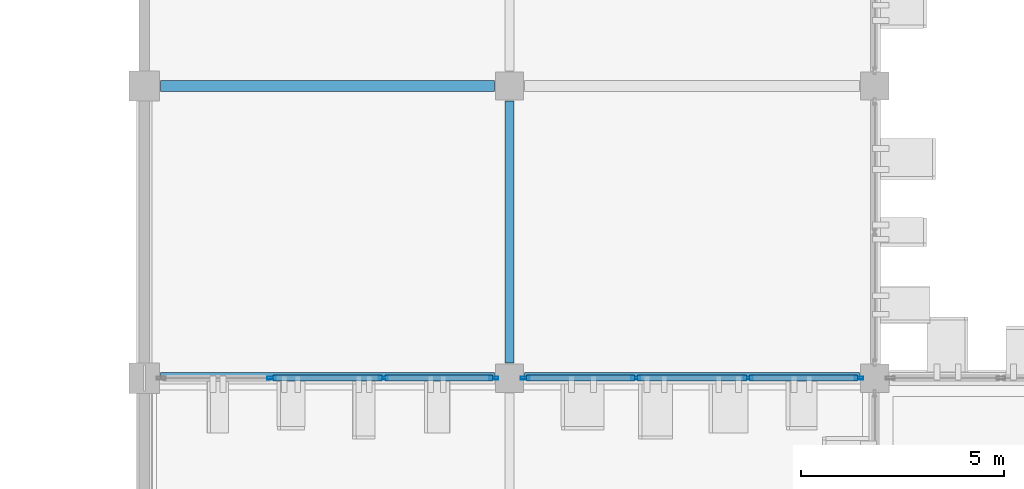
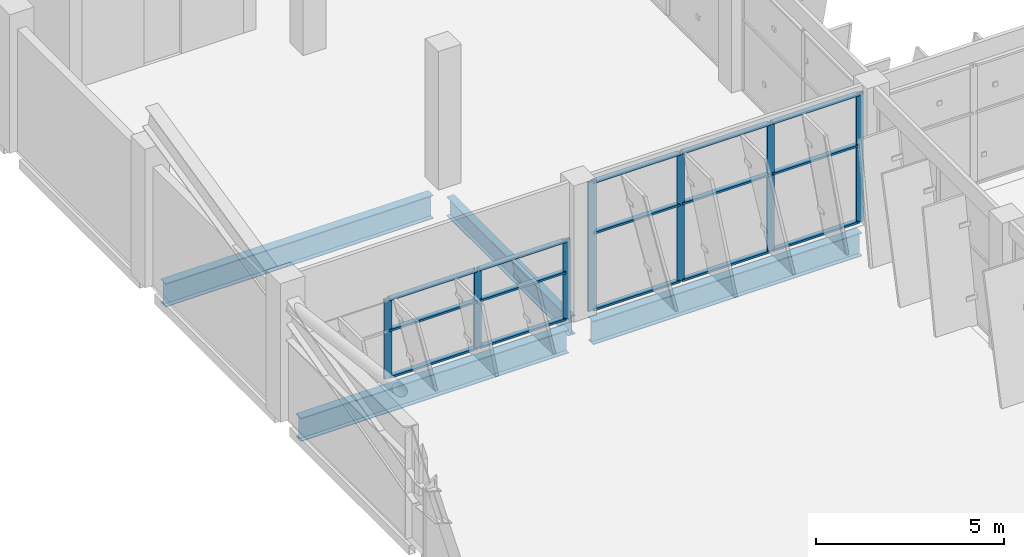
# One storey, part 43 of 151: 22 members, 4 beams, 2 elements without a shape of their own.
"""IFC4 building model written with IfcOpenShell, lengths in metres."""

from ifc_helpers import new_model, si_unit, direction, frame, origin, origin_2d, place, context, subcontext, project, spatial, hollow_rectangle, i_section, extrude, material, layer, layer_set, material_profile, profile_set, type_object, element, aggregate, save


model = new_model("IFC4")

# Units and contexts
model_context = context("Model", 3, precision=1e-05, world=origin(), true_north=direction((0.0, 1.0)))
body_context = subcontext(model_context, "Body", "Model", "MODEL_VIEW")
ifc_project = project(units=[si_unit("LENGTHUNIT", "METRE"), si_unit("AREAUNIT", "SQUARE_METRE"), si_unit("VOLUMEUNIT", "CUBIC_METRE"), si_unit("PLANEANGLEUNIT", "RADIAN"), si_unit("MASSUNIT", "GRAM", prefix="KILO")], contexts=[model_context])

# Site, building, storey
site_placement = place(None, origin())
site = spatial("IfcSite", under=ifc_project, at=site_placement, CompositionType="ELEMENT")
building_placement = place(site_placement, origin())
building = spatial("IfcBuilding", under=site, at=building_placement, Name="Celestram Park Convention Centre", CompositionType="ELEMENT")
storey_placement = place(building_placement, frame((0.0, 0.0, 10.800048828125)))
storey = spatial("IfcBuildingStorey", under=building, at=storey_placement, Name="L02", CompositionType="ELEMENT", Elevation=10.800048828125)

# Curtain wall, members
ifc_material_1 = material(Name="Anodised Aluminium Alloy 6063-T6", Category="aluminium")
ifc_layer_1 = layer(ifc_material_1, 0.179931640625)
ifc_layer_set_1 = layer_set([ifc_layer_1], Name="Anodised Aluminium Alloy 6063-T6")
curtain_wall_type_1 = type_object("IfcCurtainWallType", Name="ARC-CW-830X420", PredefinedType="NOTDEFINED", material=ifc_layer_set_1)
curtain_wall_1_placement = place(storey_placement, origin())
curtain_wall_1 = element("IfcCurtainWall", 1, at=curtain_wall_1_placement, inside=storey, type_object=curtain_wall_type_1, Name="Unitised curtain wall CU-L02-193", PredefinedType="NOTDEFINED")
ifc_material_profile_1 = material_profile(ifc_material_1, hollow_rectangle(XDim=0.074951171875, YDim=0.219970703125, WallThickness=0.00390625, at=origin_2d()), Name="ALU75X220X4")
ifc_profile_set_1 = profile_set([ifc_material_profile_1], Name="Anodised Aluminium Alloy 6063-T6")
member_type_1 = type_object("IfcMemberType", Name="ARC-CWM-180", PredefinedType="MULLION", material=ifc_profile_set_1)
member_1_placement = place(storey_placement, frame((143.614501953125, 36.0, 0.0), z_axis=(0.0, 0.0, 1.0), x_axis=(0.0, -1.0, 0.0)))
member_1 = element("IfcMember", 2, at=member_1_placement, type_object=member_type_1, Name="CW-83X42 mullion 1", PredefinedType="MULLION", context=body_context, shape_type="SweptSolid", body=[
    extrude(hollow_rectangle(XDim=0.074951171875, YDim=0.219970703125, WallThickness=0.00390625, at=origin_2d()), origin(), (0.0, 0.0, 1.0), 4.199951171875),
])
member_2_placement = place(storey_placement, frame((140.884033203125, 36.0, 0.0), z_axis=(0.0, 0.0, 1.0), x_axis=(0.0, -1.0, 0.0)))
member_2 = element("IfcMember", 3, at=member_2_placement, type_object=member_type_1, Name="CW-83X42 mullion 2", PredefinedType="MULLION", context=body_context, shape_type="SweptSolid", body=[
    extrude(hollow_rectangle(XDim=0.074951171875, YDim=0.219970703125, WallThickness=0.00390625, at=origin_2d()), origin(), (0.0, 0.0, 1.0), 4.199951171875),
])
member_3_placement = place(storey_placement, frame((138.115966796875, 36.0, 0.0), z_axis=(0.0, 0.0, 1.0), x_axis=(0.0, -1.0, 0.0)))
member_3 = element("IfcMember", 4, at=member_3_placement, type_object=member_type_1, Name="CW-83X42 mullion 3", PredefinedType="MULLION", context=body_context, shape_type="SweptSolid", body=[
    extrude(hollow_rectangle(XDim=0.074951171875, YDim=0.219970703125, WallThickness=0.00390625, at=origin_2d()), origin(), (0.0, 0.0, 1.0), 4.199951171875),
])
member_4_placement = place(storey_placement, frame((135.385498046875, 36.0, 0.0), z_axis=(0.0, 0.0, 1.0), x_axis=(0.0, -1.0, 0.0)))
member_4 = element("IfcMember", 5, at=member_4_placement, type_object=member_type_1, Name="CW-83X42 mullion 4", PredefinedType="MULLION", context=body_context, shape_type="SweptSolid", body=[
    extrude(hollow_rectangle(XDim=0.074951171875, YDim=0.219970703125, WallThickness=0.00390625, at=origin_2d()), origin(), (0.0, 0.0, 1.0), 4.199951171875),
])

ifc_layer_2 = layer(ifc_material_1, 0.179931640625)
ifc_layer_set_2 = layer_set([ifc_layer_2], Name="Anodised Aluminium Alloy 6063-T6")
curtain_wall_type_2 = type_object("IfcCurtainWallType", Name="ARC-CW-828X259", PredefinedType="NOTDEFINED", material=ifc_layer_set_2)
curtain_wall_2_placement = place(storey_placement, origin())
curtain_wall_2 = element("IfcCurtainWall", 6, at=curtain_wall_2_placement, inside=storey, type_object=curtain_wall_type_2, Name="Unitised curtain wall CU-L02-194", PredefinedType="NOTDEFINED")
member_5_placement = place(storey_placement, frame((134.614501953125, 36.0, 0.0), z_axis=(0.0, 0.0, 1.0), x_axis=(0.0, -1.0, 0.0)))
member_5 = element("IfcMember", 7, at=member_5_placement, type_object=member_type_1, Name="CW-82X25 mullion 1", PredefinedType="MULLION", context=body_context, shape_type="SweptSolid", body=[
    extrude(hollow_rectangle(XDim=0.074951171875, YDim=0.219970703125, WallThickness=0.00390625, at=origin_2d()), origin(), (0.0, 0.0, 1.0), 2.5888671875),
])
member_6_placement = place(storey_placement, frame((131.892333984375, 36.0, 0.0), z_axis=(0.0, 0.0, 1.0), x_axis=(0.0, -1.0, 0.0)))
member_6 = element("IfcMember", 8, at=member_6_placement, type_object=member_type_1, Name="CW-82X25 mullion 2", PredefinedType="MULLION", context=body_context, shape_type="SweptSolid", body=[
    extrude(hollow_rectangle(XDim=0.074951171875, YDim=0.219970703125, WallThickness=0.00390625, at=origin_2d()), origin(), (0.0, 0.0, 1.0), 2.5888671875),
])
member_7_placement = place(storey_placement, frame((129.132568359375, 36.0, 0.0), z_axis=(0.0, 0.0, 1.0), x_axis=(0.0, -1.0, 0.0)))
member_7 = element("IfcMember", 9, at=member_7_placement, type_object=member_type_1, Name="CW-82X25 mullion 3", PredefinedType="MULLION", context=body_context, shape_type="SweptSolid", body=[
    extrude(hollow_rectangle(XDim=0.074951171875, YDim=0.219970703125, WallThickness=0.00390625, at=origin_2d()), origin(), (0.0, 0.0, 1.0), 2.5888671875),
])

# Member
ifc_material_profile_2 = material_profile(ifc_material_1, hollow_rectangle(XDim=0.14990234375, YDim=0.06494140625, WallThickness=0.0029296875, at=origin_2d()), Name="ALU150X65X3")
ifc_profile_set_2 = profile_set([ifc_material_profile_2], Name="Anodised Aluminium Alloy 6063-T6")
member_type_2 = type_object("IfcMemberType", Name="ARC-CWT-150", PredefinedType="USERDEFINED", material=ifc_profile_set_2)
member_8_placement = place(storey_placement, frame((143.576904296875, 36.0, 0.032470703125), z_axis=(-1.0, 0.0, 0.0), x_axis=(0.0, -1.0, 0.0)))
member_8 = element("IfcMember", 10, at=member_8_placement, type_object=member_type_2, Name="CW-83X42 transom 1.1", ObjectType="TRANSOM", PredefinedType="USERDEFINED", context=body_context, shape_type="SweptSolid", body=[
    extrude(hollow_rectangle(XDim=0.14990234375, YDim=0.06494140625, WallThickness=0.0029296875, at=origin_2d()), origin(), (0.0, 0.0, 1.0), 2.655517578125),
])

member_9_placement = place(storey_placement, frame((143.576904296875, 36.0, 2.52001953125), z_axis=(-1.0, 0.0, 0.0), x_axis=(0.0, -1.0, 0.0)))
member_9 = element("IfcMember", 11, at=member_9_placement, type_object=member_type_2, Name="CW-83X42 transom 1.2", ObjectType="TRANSOM", PredefinedType="USERDEFINED", context=body_context, shape_type="SweptSolid", body=[
    extrude(hollow_rectangle(XDim=0.14990234375, YDim=0.06494140625, WallThickness=0.0029296875, at=origin_2d()), origin(), (0.0, 0.0, 1.0), 2.655517578125),
])

member_10_placement = place(storey_placement, frame((143.576904296875, 36.0, 4.16748046875), z_axis=(-1.0, 0.0, 0.0), x_axis=(0.0, -1.0, 0.0)))
member_10 = element("IfcMember", 12, at=member_10_placement, type_object=member_type_2, Name="CW-83X42 transom 1.3", ObjectType="TRANSOM", PredefinedType="USERDEFINED", context=body_context, shape_type="SweptSolid", body=[
    extrude(hollow_rectangle(XDim=0.14990234375, YDim=0.06494140625, WallThickness=0.0029296875, at=origin_2d()), origin(), (0.0, 0.0, 1.0), 2.655517578125),
])

member_11_placement = place(storey_placement, frame((140.846435546875, 36.0, 0.032470703125), z_axis=(-1.0, 0.0, 0.0), x_axis=(0.0, -1.0, 0.0)))
member_11 = element("IfcMember", 13, at=member_11_placement, type_object=member_type_2, Name="CW-83X42 transom 2.1", ObjectType="TRANSOM", PredefinedType="USERDEFINED", context=body_context, shape_type="SweptSolid", body=[
    extrude(hollow_rectangle(XDim=0.14990234375, YDim=0.06494140625, WallThickness=0.0029296875, at=origin_2d()), origin(), (0.0, 0.0, 1.0), 2.69287109375),
])

member_12_placement = place(storey_placement, frame((140.846435546875, 36.0, 2.52001953125), z_axis=(-1.0, 0.0, 0.0), x_axis=(0.0, -1.0, 0.0)))
member_12 = element("IfcMember", 14, at=member_12_placement, type_object=member_type_2, Name="CW-83X42 transom 2.2", ObjectType="TRANSOM", PredefinedType="USERDEFINED", context=body_context, shape_type="SweptSolid", body=[
    extrude(hollow_rectangle(XDim=0.14990234375, YDim=0.06494140625, WallThickness=0.0029296875, at=origin_2d()), origin(), (0.0, 0.0, 1.0), 2.69287109375),
])

member_13_placement = place(storey_placement, frame((140.846435546875, 36.0, 4.16748046875), z_axis=(-1.0, 0.0, 0.0), x_axis=(0.0, -1.0, 0.0)))
member_13 = element("IfcMember", 15, at=member_13_placement, type_object=member_type_2, Name="CW-83X42 transom 2.3", ObjectType="TRANSOM", PredefinedType="USERDEFINED", context=body_context, shape_type="SweptSolid", body=[
    extrude(hollow_rectangle(XDim=0.14990234375, YDim=0.06494140625, WallThickness=0.0029296875, at=origin_2d()), origin(), (0.0, 0.0, 1.0), 2.69287109375),
])

member_14_placement = place(storey_placement, frame((138.07861328125, 36.0, 0.032470703125), z_axis=(-1.0, 0.0, 0.0), x_axis=(0.0, -1.0, 0.0)))
member_14 = element("IfcMember", 16, at=member_14_placement, type_object=member_type_2, Name="CW-83X42 transom 3.1", ObjectType="TRANSOM", PredefinedType="USERDEFINED", context=body_context, shape_type="SweptSolid", body=[
    extrude(hollow_rectangle(XDim=0.14990234375, YDim=0.06494140625, WallThickness=0.0029296875, at=origin_2d()), origin(), (0.0, 0.0, 1.0), 2.655517578125),
])

member_15_placement = place(storey_placement, frame((138.07861328125, 36.0, 2.52001953125), z_axis=(-1.0, 0.0, 0.0), x_axis=(0.0, -1.0, 0.0)))
member_15 = element("IfcMember", 17, at=member_15_placement, type_object=member_type_2, Name="CW-83X42 transom 3.2", ObjectType="TRANSOM", PredefinedType="USERDEFINED", context=body_context, shape_type="SweptSolid", body=[
    extrude(hollow_rectangle(XDim=0.14990234375, YDim=0.06494140625, WallThickness=0.0029296875, at=origin_2d()), origin(), (0.0, 0.0, 1.0), 2.655517578125),
])

member_16_placement = place(storey_placement, frame((138.07861328125, 36.0, 4.16748046875), z_axis=(-1.0, 0.0, 0.0), x_axis=(0.0, -1.0, 0.0)))
member_16 = element("IfcMember", 18, at=member_16_placement, type_object=member_type_2, Name="CW-83X42 transom 3.3", ObjectType="TRANSOM", PredefinedType="USERDEFINED", context=body_context, shape_type="SweptSolid", body=[
    extrude(hollow_rectangle(XDim=0.14990234375, YDim=0.06494140625, WallThickness=0.0029296875, at=origin_2d()), origin(), (0.0, 0.0, 1.0), 2.655517578125),
])

aggregate(curtain_wall_1, [member_1, member_2, member_3, member_4, member_8, member_9, member_10, member_11, member_12, member_13, member_14, member_15, member_16])

member_17_placement = place(storey_placement, frame((134.576904296875, 36.0, 0.032470703125), z_axis=(-1.0, 0.0, 0.0), x_axis=(0.0, -1.0, 0.0)))
member_17 = element("IfcMember", 19, at=member_17_placement, type_object=member_type_2, Name="CW-82X25 transom 1.1", ObjectType="TRANSOM", PredefinedType="USERDEFINED", context=body_context, shape_type="SweptSolid", body=[
    extrude(hollow_rectangle(XDim=0.14990234375, YDim=0.06494140625, WallThickness=0.0029296875, at=origin_2d()), origin(), (0.0, 0.0, 1.0), 2.64697265625),
])

member_18_placement = place(storey_placement, frame((134.576904296875, 36.0, 1.552978515625), z_axis=(-1.0, 0.0, 0.0), x_axis=(0.0, -1.0, 0.0)))
member_18 = element("IfcMember", 20, at=member_18_placement, type_object=member_type_2, Name="CW-82X25 transom 1.2", ObjectType="TRANSOM", PredefinedType="USERDEFINED", context=body_context, shape_type="SweptSolid", body=[
    extrude(hollow_rectangle(XDim=0.14990234375, YDim=0.06494140625, WallThickness=0.0029296875, at=origin_2d()), origin(), (0.0, 0.0, 1.0), 2.64697265625),
])

member_19_placement = place(storey_placement, frame((134.576904296875, 36.0, 2.556396484375), z_axis=(-1.0, 0.0, 0.0), x_axis=(0.0, -1.0, 0.0)))
member_19 = element("IfcMember", 21, at=member_19_placement, type_object=member_type_2, Name="CW-82X25 transom 1.3", ObjectType="TRANSOM", PredefinedType="USERDEFINED", context=body_context, shape_type="SweptSolid", body=[
    extrude(hollow_rectangle(XDim=0.14990234375, YDim=0.06494140625, WallThickness=0.0029296875, at=origin_2d()), origin(), (0.0, 0.0, 1.0), 2.64697265625),
])

member_20_placement = place(storey_placement, frame((131.854736328125, 36.0, 0.032470703125), z_axis=(-1.0, 0.0, 0.0), x_axis=(0.0, -1.0, 0.0)))
member_20 = element("IfcMember", 22, at=member_20_placement, type_object=member_type_2, Name="CW-82X25 transom 2.1", ObjectType="TRANSOM", PredefinedType="USERDEFINED", context=body_context, shape_type="SweptSolid", body=[
    extrude(hollow_rectangle(XDim=0.14990234375, YDim=0.06494140625, WallThickness=0.0029296875, at=origin_2d()), origin(), (0.0, 0.0, 1.0), 2.6845703125),
])

member_21_placement = place(storey_placement, frame((131.854736328125, 36.0, 1.552978515625), z_axis=(-1.0, 0.0, 0.0), x_axis=(0.0, -1.0, 0.0)))
member_21 = element("IfcMember", 23, at=member_21_placement, type_object=member_type_2, Name="CW-82X25 transom 2.2", ObjectType="TRANSOM", PredefinedType="USERDEFINED", context=body_context, shape_type="SweptSolid", body=[
    extrude(hollow_rectangle(XDim=0.14990234375, YDim=0.06494140625, WallThickness=0.0029296875, at=origin_2d()), origin(), (0.0, 0.0, 1.0), 2.6845703125),
])

member_22_placement = place(storey_placement, frame((131.854736328125, 36.0, 2.556396484375), z_axis=(-1.0, 0.0, 0.0), x_axis=(0.0, -1.0, 0.0)))
member_22 = element("IfcMember", 24, at=member_22_placement, type_object=member_type_2, Name="CW-82X25 transom 2.3", ObjectType="TRANSOM", PredefinedType="USERDEFINED", context=body_context, shape_type="SweptSolid", body=[
    extrude(hollow_rectangle(XDim=0.14990234375, YDim=0.06494140625, WallThickness=0.0029296875, at=origin_2d()), origin(), (0.0, 0.0, 1.0), 2.6845703125),
])

aggregate(curtain_wall_2, [member_5, member_6, member_7, member_17, member_18, member_19, member_20, member_21, member_22])

# Beams
ifc_material_2 = material(Name="Steel ASTM A992 Grade 50", Category="steel")
ifc_material_profile_3 = material_profile(ifc_material_2, i_section(OverallWidth=0.22900390625, OverallDepth=0.612060546875, WebThickness=0.011962890625, FlangeThickness=0.01953125, at=origin_2d()), Name="W24X84")
ifc_profile_set_3 = profile_set([ifc_material_profile_3], Name="Steel ASTM A992 Grade 50")
beam_type_1 = type_object("IfcBeamType", Name="STR-BM-W24X84", PredefinedType="BEAM", material=ifc_profile_set_3)
beam_1_placement = place(storey_placement, frame((135.0, 36.373046875, -0.5859375), z_axis=(0.0, 1.0, 0.0), x_axis=(-1.0, 0.0, 0.0)))
element("IfcBeam", 25, at=beam_1_placement, inside=storey, type_object=beam_type_1, Name="Primary Y-girder BG-L02-0199", PredefinedType="BEAM", context=body_context, shape_type="SweptSolid", body=[
    extrude(i_section(OverallWidth=0.22900390625, OverallDepth=0.612060546875, WebThickness=0.011962890625, FlangeThickness=0.01953125, at=origin_2d()), origin(), (0.0, 0.0, 1.0), 6.453857421875),
])
ifc_material_profile_4 = material_profile(ifc_material_2, i_section(OverallWidth=0.26708984375, OverallDepth=0.761962890625, WebThickness=0.014404296875, FlangeThickness=0.021484375, at=origin_2d()), Name="W30X116")
ifc_profile_set_4 = profile_set([ifc_material_profile_4], Name="Steel ASTM A992 Grade 50")
beam_type_2 = type_object("IfcBeamType", Name="STR-BM-W30X116", PredefinedType="BEAM", material=ifc_profile_set_4)
for number, where, z_axis, x_axis, name in (
    (26, (126.39794921875, 36.0, -0.6611328125), (1.0, 0.0, 0.0), (0.0, 1.0, 0.0), "Primary X-girder BG-L02-0160"),
    (27, (126.39794921875, 43.199951171875, -0.6611328125), (1.0, 0.0, 0.0), (0.0, 1.0, 0.0), "Primary X-girder BG-L02-0162"),
):
    element("IfcBeam", number, at=place(storey_placement, frame(where, z_axis=z_axis, x_axis=x_axis)), inside=storey, type_object=beam_type_2, Name=name, PredefinedType="BEAM", context=body_context, shape_type="SweptSolid", body=[
        extrude(i_section(OverallWidth=0.26708984375, OverallDepth=0.761962890625, WebThickness=0.014404296875, FlangeThickness=0.021484375, at=origin_2d()), origin(), (0.0, 0.0, 1.0), 8.22900390625),
    ])
beam_2_placement = place(storey_placement, frame((135.373046875, 36.0, -0.6611328125), z_axis=(1.0, 0.0, 0.0), x_axis=(0.0, 1.0, 0.0)))
element("IfcBeam", 28, at=beam_2_placement, inside=storey, type_object=beam_type_2, Name="Primary X-girder BG-L02-0198", PredefinedType="BEAM", context=body_context, shape_type="SweptSolid", body=[
    extrude(i_section(OverallWidth=0.26708984375, OverallDepth=0.761962890625, WebThickness=0.014404296875, FlangeThickness=0.021484375, at=origin_2d()), origin(), (0.0, 0.0, 1.0), 8.25390625),
])

save(model, "model.ifc")
